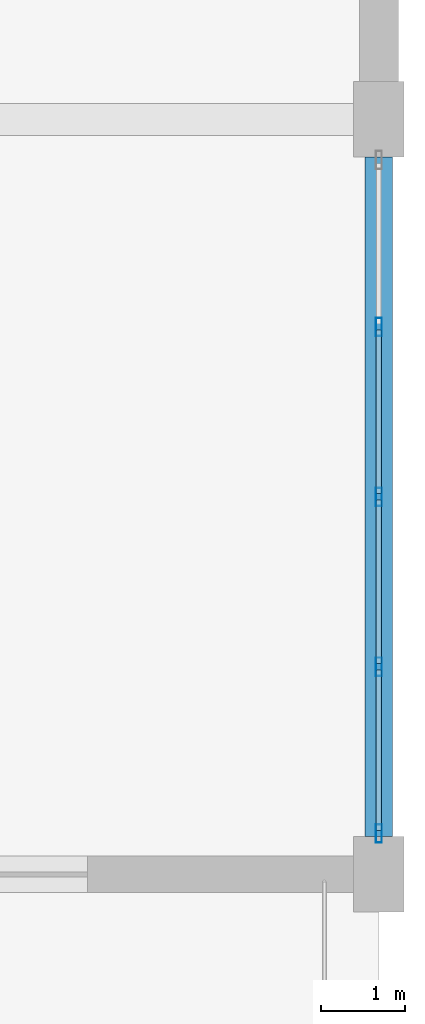
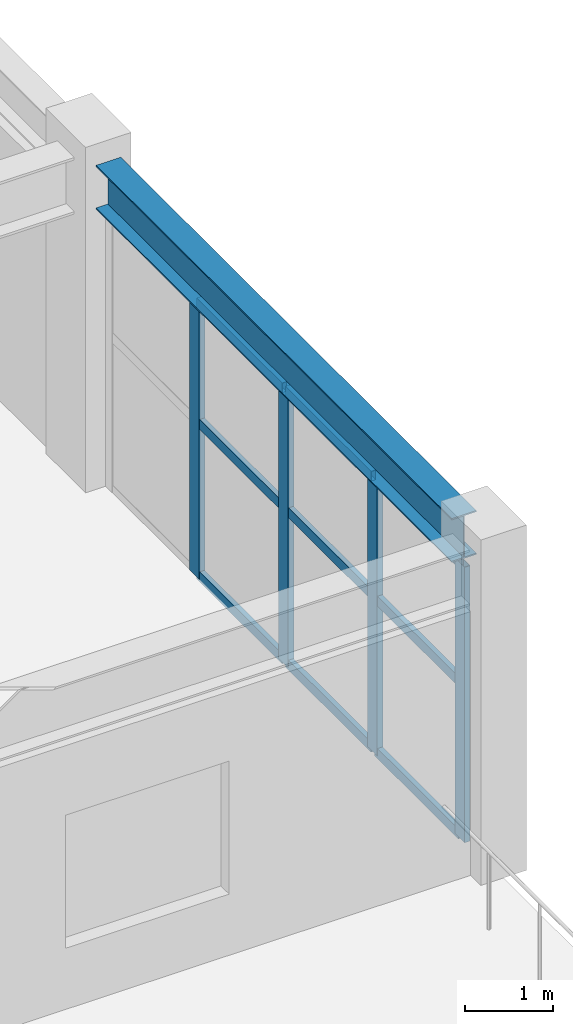
# One storey, part 29 of 62: 13 members, 1 beam, 1 element without a shape of its own.
"""IFC4 building model written with IfcOpenShell, lengths in metres."""

import ifcopenshell
import ifcopenshell.guid

model = None  # the IFC model being written
_history = None  # IfcOwnerHistory: only IFC2X3 demands one
_inside = {}  # id of a spatial element -> (the spatial element, [elements in it])
_under = {}  # id of a project, library or spatial element -> (it, [spatial elements below it])
_declared = {}  # id of a project -> (the project, [libraries it declares])
_typed = {}  # id of a type object -> (the type object, [elements of that type])
_made_of = {}  # id of a material, layer set ... -> (it, [elements and type objects made of it])


def new_model(schema):
    """Start an empty IFC model of exactly this schema.

    Asked for "IFC4X3", IfcOpenShell would pick the latest addendum, in which some entities
    have other attributes; the version numbers below select the first issue.
    IFC2X3 requires an IfcOwnerHistory on every rooted entity: one is made here for all.
    """
    global model, _history
    if schema == "IFC4X3":
        model = ifcopenshell.file(schema_version=(4, 3, 0, 0))
    else:
        model = ifcopenshell.file(schema=schema)
    _inside.clear()
    _under.clear()
    _declared.clear()
    _typed.clear()
    _made_of.clear()
    _history = None
    if model.schema == "IFC2X3":
        org = make("IfcOrganization", Name="unknown")
        user = make(
            "IfcPersonAndOrganization",
            ThePerson=make("IfcPerson", FamilyName="unknown"),
            TheOrganization=org,
        )
        app = make(
            "IfcApplication",
            ApplicationDeveloper=org,
            Version="unknown",
            ApplicationFullName="unknown",
            ApplicationIdentifier="unknown",
        )
        _history = make(
            "IfcOwnerHistory",
            OwningUser=user,
            OwningApplication=app,
            ChangeAction="ADDED",
            CreationDate=0,
        )
    return model


def make(cls, **values):
    """One entity of the class cls with the attributes given. An attribute that is None is left unset."""
    return model.create_entity(
        cls, **{name: value for name, value in values.items() if value is not None}
    )


def rooted(cls, **values):
    """An entity with a GlobalId (a new one), such as an element, a storey or a relation."""
    return make(cls, GlobalId=ifcopenshell.guid.new(), OwnerHistory=_history, **values)


def si_unit(unit_type, name, prefix=None):
    """IfcSIUnit, for example si_unit("LENGTHUNIT", "METRE", prefix="MILLI")."""
    return make("IfcSIUnit", UnitType=unit_type, Prefix=prefix, Name=name)


def assignment(units):
    """IfcUnitAssignment: the units of a project."""
    return None if units is None else make("IfcUnitAssignment", Units=units)


def point(xyz):
    """IfcCartesianPoint."""
    return None if xyz is None else make("IfcCartesianPoint", Coordinates=xyz)


def direction(xyz):
    """IfcDirection."""
    return None if xyz is None else make("IfcDirection", DirectionRatios=xyz)


def frame(location, z_axis=None, x_axis=None):
    """IfcAxis2Placement3D, a coordinate frame: its origin and axes. An axis left out is left unset."""
    return make(
        "IfcAxis2Placement3D",
        Location=point(location),
        Axis=direction(z_axis),
        RefDirection=direction(x_axis),
    )


def frame_2d(location, x_axis=None):
    """IfcAxis2Placement2D, a coordinate frame in the plane: its origin and x axis."""
    return make(
        "IfcAxis2Placement2D", Location=point(location), RefDirection=direction(x_axis)
    )


def origin():
    """The frame at (0, 0, 0) with its axes left unset."""
    return frame((0.0, 0.0, 0.0))


def origin_2d():
    """The frame at (0, 0) in the plane with its x axis left unset."""
    return frame_2d((0.0, 0.0))


def place(relative_to, where):
    """IfcLocalPlacement: puts the frame where relative to a parent placement (None: the world)."""
    return make(
        "IfcLocalPlacement", PlacementRelTo=relative_to, RelativePlacement=where
    )


def context(
    kind, dimensions, precision=None, world=None, true_north=None, identifier=None
):
    """IfcGeometricRepresentationContext, for example the 3D "Model" context."""
    return make(
        "IfcGeometricRepresentationContext",
        ContextIdentifier=identifier,
        ContextType=kind,
        CoordinateSpaceDimension=dimensions,
        Precision=precision,
        WorldCoordinateSystem=world,
        TrueNorth=true_north,
    )


def subcontext(parent, identifier, kind, view, scale=None):
    """IfcGeometricRepresentationSubContext, for example "Body" below "Model"."""
    return make(
        "IfcGeometricRepresentationSubContext",
        ContextIdentifier=identifier,
        ContextType=kind,
        ParentContext=parent,
        TargetScale=scale,
        TargetView=view,
    )


def project(units=None, contexts=None):
    """IfcProject with its units and contexts."""
    return rooted(
        "IfcProject",
        Name="project",
        RepresentationContexts=contexts,
        UnitsInContext=assignment(units),
    )


def spatial(cls, under=None, at=None, **own):
    """A site, building, storey or space (cls), placed at a placement, below another one or the project."""
    s = rooted(cls, ObjectPlacement=at, **own)
    if under is not None:
        _under.setdefault(under.id(), (under, []))[1].append(s)
    return s


def profile(cls, at=None, kind="AREA", **sizes):
    """A parametric profile (cls). Its sizes go by their IFC names, for example OverallWidth=200.0."""
    return make(cls, ProfileType=kind, Position=at, **sizes)


def hollow_rectangle(**sizes):
    """IfcRectangleHollowProfileDef."""
    return profile("IfcRectangleHollowProfileDef", **sizes)


def i_section(**sizes):
    """IfcIShapeProfileDef."""
    return profile("IfcIShapeProfileDef", **sizes)


def extrude(swept, where, along, depth):
    """IfcExtrudedAreaSolid: the profile swept, set in the frame where, extruded along a direction by depth."""
    return make(
        "IfcExtrudedAreaSolid",
        SweptArea=swept,
        Position=where,
        ExtrudedDirection=direction(along),
        Depth=depth,
    )


def shape(context_of_items, identifier, shape_type, items):
    """IfcShapeRepresentation: the items that make up one representation, for example the "Body"."""
    return make(
        "IfcShapeRepresentation",
        ContextOfItems=context_of_items,
        RepresentationIdentifier=identifier,
        RepresentationType=shape_type,
        Items=items,
    )


def material(Name=None, Category=None):
    """IfcMaterial."""
    return make("IfcMaterial", Name=Name, Category=Category)


def layer(
    of_material, thickness, ventilated=None, Name=None, Category=None, Priority=None
):
    """IfcMaterialLayer: one layer of a wall or slab, of a material (None: an air gap)."""
    return make(
        "IfcMaterialLayer",
        Material=of_material,
        LayerThickness=thickness,
        IsVentilated=ventilated,
        Name=Name,
        Category=Category,
        Priority=Priority,
    )


def layer_set(layers, Name=None):
    """IfcMaterialLayerSet."""
    return make("IfcMaterialLayerSet", MaterialLayers=layers, LayerSetName=Name)


def material_profile(
    of_material, cross_section, Name=None, Category=None, Priority=None
):
    """IfcMaterialProfile: a cross section and its material."""
    return make(
        "IfcMaterialProfile",
        Name=Name,
        Material=of_material,
        Profile=cross_section,
        Priority=Priority,
        Category=Category,
    )


def profile_set(profiles, Name=None, composite=None):
    """IfcMaterialProfileSet."""
    return make(
        "IfcMaterialProfileSet",
        Name=Name,
        MaterialProfiles=profiles,
        CompositeProfile=composite,
    )


def made_of(thing, what):
    """Note that an element or type object is made of a material, layer set ...; save() writes the relation."""
    if what is not None:
        _made_of.setdefault(what.id(), (what, []))[1].append(thing)
    return thing


def type_object(cls, material=None, **own):
    """A type object (cls), such as IfcWallType, which elements share."""
    return made_of(rooted(cls, **own), material)


def element(
    cls,
    number,
    at=None,
    inside=None,
    cuts=None,
    type_object=None,
    material=None,
    context=None,
    identifier="Body",
    shape_type=None,
    held_by="IfcProductDefinitionShape",
    body=None,
    shapes=None,
    **own,
):
    """One element of the class cls, such as IfcWall. Its Tag is "e" and its number.

    at: its placement. inside: the storey or other place that contains it. cuts: it is an
    opening in that element (IfcRelVoidsElement). A single representation is given by context,
    identifier, shape_type and body (its items); several are given by shapes. held_by: the class
    of the entity that holds the representations. save() writes the other relations.
    """
    e = rooted(cls, Tag="e%d" % number, ObjectPlacement=at, **own)
    if body is not None:
        shapes = [shape(context, identifier, shape_type, body)]
    if shapes is not None:
        e.Representation = make(held_by, Representations=shapes)
    if inside is not None:
        _inside.setdefault(inside.id(), (inside, []))[1].append(e)
    if cuts is not None:
        rooted(
            "IfcRelVoidsElement", RelatingBuildingElement=cuts, RelatedOpeningElement=e
        )
    if type_object is not None:
        _typed.setdefault(type_object.id(), (type_object, []))[1].append(e)
    return made_of(e, material)


def aggregate(whole, parts):
    """IfcRelAggregates: a whole, such as a stair, and the parts it consists of."""
    return rooted("IfcRelAggregates", RelatingObject=whole, RelatedObjects=parts)


def save(model, path):
    """Write the relations noted so far, then the file.

    IfcRelAggregates (storeys below a building ...), IfcRelContainedInSpatialStructure (elements
    in a storey), IfcRelDefinesByType, IfcRelAssociatesMaterial and IfcRelDeclares: one each for
    every whole, place, type object, material and project.
    """
    for whole, parts in _under.values():
        aggregate(whole, parts)
    for where, things in _inside.values():
        rooted(
            "IfcRelContainedInSpatialStructure",
            RelatedElements=things,
            RelatingStructure=where,
        )
    for kind, things in _typed.values():
        rooted("IfcRelDefinesByType", RelatedObjects=things, RelatingType=kind)
    for what, things in _made_of.values():
        rooted("IfcRelAssociatesMaterial", RelatedObjects=things, RelatingMaterial=what)
    for by, libraries in _declared.values():
        rooted("IfcRelDeclares", RelatingContext=by, RelatedDefinitions=libraries)
    model.write(path)


model = new_model("IFC4")

# Units and contexts
model_context = context("Model", 3, precision=1e-05, world=origin(), true_north=direction((0.0, 1.0)))
body_context = subcontext(model_context, "Body", "Model", "MODEL_VIEW")
ifc_project = project(units=[si_unit("LENGTHUNIT", "METRE"), si_unit("AREAUNIT", "SQUARE_METRE"), si_unit("VOLUMEUNIT", "CUBIC_METRE"), si_unit("PLANEANGLEUNIT", "RADIAN"), si_unit("MASSUNIT", "GRAM", prefix="KILO")], contexts=[model_context])

# Site, building, storey
site_placement = place(None, origin())
site = spatial("IfcSite", under=ifc_project, at=site_placement, CompositionType="ELEMENT")
building_placement = place(site_placement, origin())
building = spatial("IfcBuilding", under=site, at=building_placement, Name="Vaelkrest Opera House", CompositionType="ELEMENT")
storey_placement = place(building_placement, frame((0.0, 0.0, 19.800048828125)))
storey = spatial("IfcBuildingStorey", under=building, at=storey_placement, Name="L04", CompositionType="ELEMENT", Elevation=19.800048828125)

# Curtain wall, members
ifc_material_1 = material(Name="Dark bronze anodized aluminium", Category="aluminium")
ifc_layer = layer(ifc_material_1, 0.239990234375)
ifc_layer_set = layer_set([ifc_layer], Name="Dark bronze anodized aluminium")
curtain_wall_type = type_object("IfcCurtainWallType", Name="CW07", PredefinedType="NOTDEFINED", material=ifc_layer_set)
curtain_wall_placement = place(storey_placement, origin())
curtain_wall = element("IfcCurtainWall", 1, at=curtain_wall_placement, inside=storey, type_object=curtain_wall_type, Name="Curtain wall CW-L04-171", PredefinedType="NOTDEFINED")
ifc_material_profile_1 = material_profile(ifc_material_1, hollow_rectangle(XDim=0.074951171875, YDim=0.219970703125, WallThickness=0.00439453125, at=origin_2d()), Name="CWM75X220")
ifc_profile_set_1 = profile_set([ifc_material_profile_1], Name="Dark bronze anodized aluminium")
member_type_1 = type_object("IfcMemberType", Name="CWM03", PredefinedType="MULLION", material=ifc_profile_set_1)
member_1_placement = place(storey_placement, frame((68.800048828125, 7.72607421875, 0.0), z_axis=(0.0, 0.0, 1.0), x_axis=(1.0, 0.0, 0.0)))
member_1 = element("IfcMember", 2, at=member_1_placement, type_object=member_type_1, Name="CW07 mullion 2", PredefinedType="MULLION", context=body_context, shape_type="SweptSolid", body=[
    extrude(hollow_rectangle(XDim=0.074951171875, YDim=0.219970703125, WallThickness=0.00439453125, at=origin_2d()), origin(), (0.0, 0.0, 1.0), 3.828857421875),
])
member_2_placement = place(storey_placement, frame((68.800048828125, 5.699951171875, 0.0), z_axis=(0.0, 0.0, 1.0), x_axis=(1.0, 0.0, 0.0)))
member_2 = element("IfcMember", 3, at=member_2_placement, type_object=member_type_1, Name="CW07 mullion 3", PredefinedType="MULLION", context=body_context, shape_type="SweptSolid", body=[
    extrude(hollow_rectangle(XDim=0.074951171875, YDim=0.219970703125, WallThickness=0.00439453125, at=origin_2d()), origin(), (0.0, 0.0, 1.0), 3.828857421875),
])
member_3_placement = place(storey_placement, frame((68.800048828125, 3.674072265625, 0.0), z_axis=(0.0, 0.0, 1.0), x_axis=(1.0, 0.0, 0.0)))
member_3 = element("IfcMember", 4, at=member_3_placement, type_object=member_type_1, Name="CW07 mullion 4", PredefinedType="MULLION", context=body_context, shape_type="SweptSolid", body=[
    extrude(hollow_rectangle(XDim=0.074951171875, YDim=0.219970703125, WallThickness=0.00439453125, at=origin_2d()), origin(), (0.0, 0.0, 1.0), 3.828857421875),
])
member_4_placement = place(storey_placement, frame((68.800048828125, 1.685546875, 0.0), z_axis=(0.0, 0.0, 1.0), x_axis=(1.0, 0.0, 0.0)))
member_4 = element("IfcMember", 5, at=member_4_placement, type_object=member_type_1, Name="CW07 mullion 5", PredefinedType="MULLION", context=body_context, shape_type="SweptSolid", body=[
    extrude(hollow_rectangle(XDim=0.074951171875, YDim=0.219970703125, WallThickness=0.00439453125, at=origin_2d()), origin(), (0.0, 0.0, 1.0), 3.828857421875),
])
ifc_material_profile_2 = material_profile(ifc_material_1, hollow_rectangle(XDim=0.06494140625, YDim=0.139892578125, WallThickness=0.00390625, at=origin_2d()), Name="CWT65X140")
ifc_profile_set_2 = profile_set([ifc_material_profile_2], Name="Dark bronze anodized aluminium")
member_type_2 = type_object("IfcMemberType", Name="CWT01", PredefinedType="USERDEFINED", material=ifc_profile_set_2)
member_5_placement = place(storey_placement, frame((68.800048828125, 7.6884765625, 0.032470703125), z_axis=(0.0, -1.0, 0.0), x_axis=(1.0, 0.0, 0.0)))
member_5 = element("IfcMember", 6, at=member_5_placement, type_object=member_type_2, Name="CW07 transom 2.1", ObjectType="TRANSOM", PredefinedType="USERDEFINED", context=body_context, shape_type="SweptSolid", body=[
    extrude(hollow_rectangle(XDim=0.06494140625, YDim=0.139892578125, WallThickness=0.00390625, at=origin_2d()), origin(), (0.0, 0.0, 1.0), 1.950927734375),
])
member_6_placement = place(storey_placement, frame((68.800048828125, 7.6884765625, 2.14990234375), z_axis=(0.0, -1.0, 0.0), x_axis=(1.0, 0.0, 0.0)))
member_6 = element("IfcMember", 7, at=member_6_placement, type_object=member_type_2, Name="CW07 transom 2.2", ObjectType="TRANSOM", PredefinedType="USERDEFINED", context=body_context, shape_type="SweptSolid", body=[
    extrude(hollow_rectangle(XDim=0.06494140625, YDim=0.139892578125, WallThickness=0.00390625, at=origin_2d()), origin(), (0.0, 0.0, 1.0), 1.950927734375),
])
member_7_placement = place(storey_placement, frame((68.800048828125, 7.6884765625, 3.79638671875), z_axis=(0.0, -1.0, 0.0), x_axis=(1.0, 0.0, 0.0)))
member_7 = element("IfcMember", 8, at=member_7_placement, type_object=member_type_2, Name="CW07 transom 2.3", ObjectType="TRANSOM", PredefinedType="USERDEFINED", context=body_context, shape_type="SweptSolid", body=[
    extrude(hollow_rectangle(XDim=0.06494140625, YDim=0.139892578125, WallThickness=0.00390625, at=origin_2d()), origin(), (0.0, 0.0, 1.0), 1.950927734375),
])
member_8_placement = place(storey_placement, frame((68.800048828125, 5.66259765625, 0.032470703125), z_axis=(0.0, -1.0, 0.0), x_axis=(1.0, 0.0, 0.0)))
member_8 = element("IfcMember", 9, at=member_8_placement, type_object=member_type_2, Name="CW07 transom 3.1", ObjectType="TRANSOM", PredefinedType="USERDEFINED", context=body_context, shape_type="SweptSolid", body=[
    extrude(hollow_rectangle(XDim=0.06494140625, YDim=0.139892578125, WallThickness=0.00390625, at=origin_2d()), origin(), (0.0, 0.0, 1.0), 1.951171875),
])
member_9_placement = place(storey_placement, frame((68.800048828125, 5.66259765625, 2.14990234375), z_axis=(0.0, -1.0, 0.0), x_axis=(1.0, 0.0, 0.0)))
member_9 = element("IfcMember", 10, at=member_9_placement, type_object=member_type_2, Name="CW07 transom 3.2", ObjectType="TRANSOM", PredefinedType="USERDEFINED", context=body_context, shape_type="SweptSolid", body=[
    extrude(hollow_rectangle(XDim=0.06494140625, YDim=0.139892578125, WallThickness=0.00390625, at=origin_2d()), origin(), (0.0, 0.0, 1.0), 1.951171875),
])
member_10_placement = place(storey_placement, frame((68.800048828125, 5.66259765625, 3.79638671875), z_axis=(0.0, -1.0, 0.0), x_axis=(1.0, 0.0, 0.0)))
member_10 = element("IfcMember", 11, at=member_10_placement, type_object=member_type_2, Name="CW07 transom 3.3", ObjectType="TRANSOM", PredefinedType="USERDEFINED", context=body_context, shape_type="SweptSolid", body=[
    extrude(hollow_rectangle(XDim=0.06494140625, YDim=0.139892578125, WallThickness=0.00390625, at=origin_2d()), origin(), (0.0, 0.0, 1.0), 1.951171875),
])
member_11_placement = place(storey_placement, frame((68.800048828125, 3.636474609375, 0.032470703125), z_axis=(0.0, -1.0, 0.0), x_axis=(1.0, 0.0, 0.0)))
member_11 = element("IfcMember", 12, at=member_11_placement, type_object=member_type_2, Name="CW07 transom 4.1", ObjectType="TRANSOM", PredefinedType="USERDEFINED", context=body_context, shape_type="SweptSolid", body=[
    extrude(hollow_rectangle(XDim=0.06494140625, YDim=0.139892578125, WallThickness=0.00390625, at=origin_2d()), origin(), (0.0, 0.0, 1.0), 1.91357421875),
])
member_12_placement = place(storey_placement, frame((68.800048828125, 3.636474609375, 2.14990234375), z_axis=(0.0, -1.0, 0.0), x_axis=(1.0, 0.0, 0.0)))
member_12 = element("IfcMember", 13, at=member_12_placement, type_object=member_type_2, Name="CW07 transom 4.2", ObjectType="TRANSOM", PredefinedType="USERDEFINED", context=body_context, shape_type="SweptSolid", body=[
    extrude(hollow_rectangle(XDim=0.06494140625, YDim=0.139892578125, WallThickness=0.00390625, at=origin_2d()), origin(), (0.0, 0.0, 1.0), 1.91357421875),
])
member_13_placement = place(storey_placement, frame((68.800048828125, 3.636474609375, 3.79638671875), z_axis=(0.0, -1.0, 0.0), x_axis=(1.0, 0.0, 0.0)))
member_13 = element("IfcMember", 14, at=member_13_placement, type_object=member_type_2, Name="CW07 transom 4.3", ObjectType="TRANSOM", PredefinedType="USERDEFINED", context=body_context, shape_type="SweptSolid", body=[
    extrude(hollow_rectangle(XDim=0.06494140625, YDim=0.139892578125, WallThickness=0.00390625, at=origin_2d()), origin(), (0.0, 0.0, 1.0), 1.91357421875),
])
aggregate(curtain_wall, [member_1, member_2, member_3, member_4, member_5, member_6, member_7, member_8, member_9, member_10, member_11, member_12, member_13])

# Beam
ifc_material_2 = material(Name="Steel A992 Gr50", Category="steel")
ifc_material_profile_3 = material_profile(ifc_material_2, i_section(OverallWidth=0.323974609375, OverallDepth=0.611083984375, WebThickness=0.0126953125, FlangeThickness=0.01904296875, at=origin_2d()), Name="W24X104")
ifc_profile_set_3 = profile_set([ifc_material_profile_3], Name="Steel A992 Gr50")
beam_type = type_object("IfcBeamType", Name="SP01", PredefinedType="SPANDREL", material=ifc_profile_set_3)
beam_placement = place(storey_placement, frame((68.800048828125, 1.64990234375, 4.199462890625), z_axis=(0.0, 1.0, 0.0), x_axis=(-1.0, 0.0, 0.0)))
element("IfcBeam", 15, at=beam_placement, inside=storey, type_object=beam_type, Name="Beam BM-V4-L04-2424", PredefinedType="SPANDREL", context=body_context, shape_type="SweptSolid", body=[
    extrude(i_section(OverallWidth=0.323974609375, OverallDepth=0.611083984375, WebThickness=0.0126953125, FlangeThickness=0.01904296875, at=origin_2d()), origin(), (0.0, 0.0, 1.0), 8.10009765625),
])

save(model, "model.ifc")
